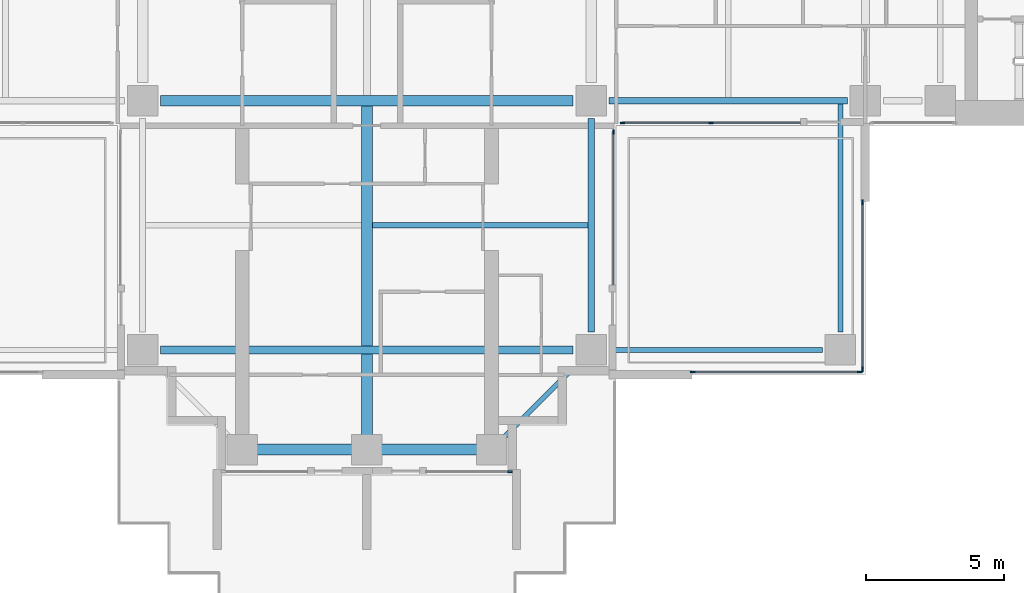
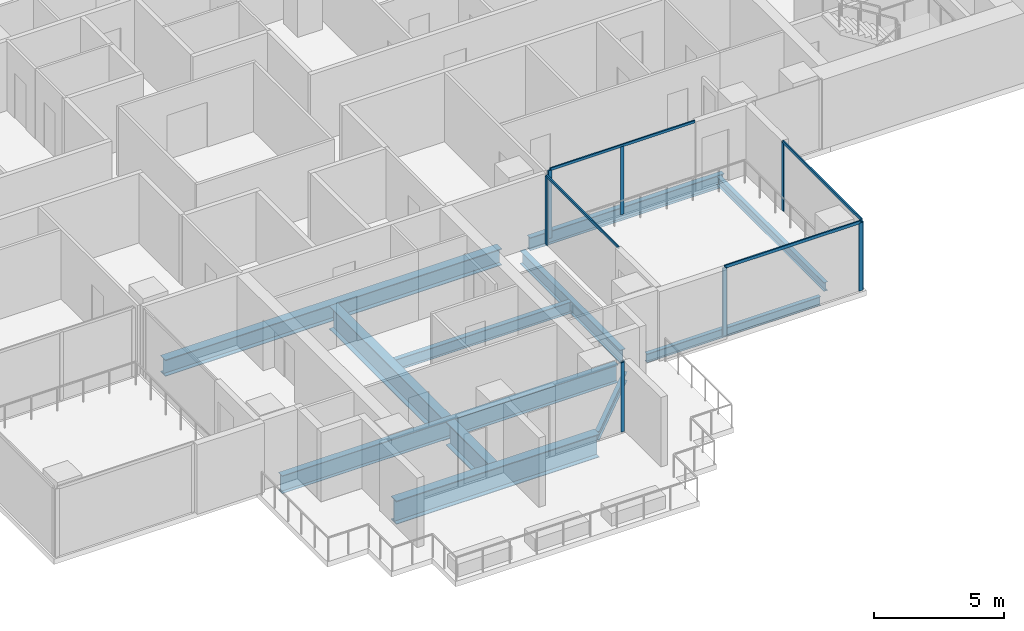
# One storey, part 3 of 20: 12 members, 11 beams, 5 elements without a shape of their own.
"""IFC4 building model written with IfcOpenShell, lengths in metres."""

from ifc_helpers import new_model, si_unit, direction, frame, origin, origin_2d, place, context, subcontext, project, spatial, rectangle, i_section, extrude, material, material_profile, profile_set, type_object, element, aggregate, save


model = new_model("IFC4")

# Units and contexts
model_context = context("Model", 3, precision=1e-05, world=origin(), true_north=direction((0.0, 1.0)))
body_context = subcontext(model_context, "Body", "Model", "MODEL_VIEW")
ifc_project = project(units=[si_unit("LENGTHUNIT", "METRE"), si_unit("AREAUNIT", "SQUARE_METRE"), si_unit("VOLUMEUNIT", "CUBIC_METRE"), si_unit("PLANEANGLEUNIT", "RADIAN"), si_unit("MASSUNIT", "GRAM", prefix="KILO")], contexts=[model_context])

# Site, building, storey
site_placement = place(None, origin())
site = spatial("IfcSite", under=ifc_project, at=site_placement, CompositionType="ELEMENT")
building_placement = place(site_placement, origin())
building = spatial("IfcBuilding", under=site, at=building_placement, Name="Perihelion Cross Residences", CompositionType="ELEMENT")
storey_placement = place(building_placement, frame((0.0, 0.0, 102.39990234375)))
storey = spatial("IfcBuildingStorey", under=building, at=storey_placement, Name="L23", CompositionType="ELEMENT", Elevation=102.39990234375)

# Curtain wall, member
ifc_material_1 = material(Name="Bronze anodised aluminium, tinted glazing", Category="aluminium")
curtain_wall_type_1 = type_object("IfcCurtainWallType", Name="CW1", PredefinedType="NOTDEFINED", material=ifc_material_1)
curtain_wall_1_placement = place(storey_placement, origin())
curtain_wall_1 = element("IfcCurtainWall", 1, at=curtain_wall_1_placement, inside=storey, type_object=curtain_wall_type_1, Name="Curtain wall CW1 L23 south tip south bay 2", PredefinedType="NOTDEFINED")
ifc_material_2 = material(Name="Bronze anodised aluminium", Category="aluminium")
ifc_material_profile_1 = material_profile(ifc_material_2, rectangle(XDim=0.06005859375, YDim=0.159912109375, at=origin_2d()), Name="CW1 mullion")
ifc_profile_set_1 = profile_set([ifc_material_profile_1], Name="Bronze anodised aluminium")
member_type_1 = type_object("IfcMemberType", Name="CW1 mullion", PredefinedType="MULLION", material=ifc_profile_set_1)
member_1_placement = place(storey_placement, frame((5.169921875, -21.5, 0.0), z_axis=(0.0, 0.0, 1.0), x_axis=(0.0, 1.0, 0.0)))
member_1 = element("IfcMember", 2, at=member_1_placement, type_object=member_type_1, Name="CW1 mullion 2", PredefinedType="MULLION", context=body_context, shape_type="SweptSolid", body=[
    extrude(rectangle(XDim=0.06005859375, YDim=0.159912109375, at=origin_2d()), origin(), (0.0, 0.0, 1.0), 3.25),
])
aggregate(curtain_wall_1, [member_1])

curtain_wall_2_placement = place(storey_placement, origin())
curtain_wall_2 = element("IfcCurtainWall", 3, at=curtain_wall_2_placement, inside=storey, type_object=curtain_wall_type_1, Name="Curtain wall CW1 L23 south side east bay 1", PredefinedType="NOTDEFINED")
member_2_placement = place(storey_placement, frame((8.89990234375, -9.22998046875, 0.0), z_axis=(0.0, 0.0, 1.0), x_axis=(-1.0, 0.0, 0.0)))
member_2 = element("IfcMember", 4, at=member_2_placement, type_object=member_type_1, Name="CW1 mullion 2", PredefinedType="MULLION", context=body_context, shape_type="SweptSolid", body=[
    extrude(rectangle(XDim=0.06005859375, YDim=0.159912109375, at=origin_2d()), origin(), (0.0, 0.0, 1.0), 3.190185546875),
])

# Curtain wall, members
curtain_wall_3_placement = place(storey_placement, origin())
curtain_wall_3 = element("IfcCurtainWall", 5, at=curtain_wall_3_placement, inside=storey, type_object=curtain_wall_type_1, Name="Curtain wall CW1 L23 east side south bay 1", PredefinedType="NOTDEFINED")
member_3_placement = place(storey_placement, frame((9.22998046875, -8.89990234375, 0.0), z_axis=(0.0, 0.0, 1.0), x_axis=(0.0, 1.0, 0.0)))
member_3 = element("IfcMember", 6, at=member_3_placement, type_object=member_type_1, Name="CW1 mullion 1", PredefinedType="MULLION", context=body_context, shape_type="SweptSolid", body=[
    extrude(rectangle(XDim=0.06005859375, YDim=0.159912109375, at=origin_2d()), origin(), (0.0, 0.0, 1.0), 3.190185546875),
])
member_4_placement = place(storey_placement, frame((12.425048828125, -8.89990234375, 0.0), z_axis=(0.0, 0.0, 1.0), x_axis=(0.0, 1.0, 0.0)))
member_4 = element("IfcMember", 7, at=member_4_placement, type_object=member_type_1, Name="CW1 mullion 2", PredefinedType="MULLION", context=body_context, shape_type="SweptSolid", body=[
    extrude(rectangle(XDim=0.06005859375, YDim=0.159912109375, at=origin_2d()), origin(), (0.0, 0.0, 1.0), 3.190185546875),
])

# Member
ifc_material_3 = material(Name="Bronze anodised aluminium", Category="aluminium")
ifc_material_profile_2 = material_profile(ifc_material_3, rectangle(XDim=0.06005859375, YDim=0.1201171875, at=origin_2d()), Name="CW1 transom")
ifc_profile_set_2 = profile_set([ifc_material_profile_2], Name="Bronze anodised aluminium")
member_type_2 = type_object("IfcMemberType", Name="CW1 transom", PredefinedType="USERDEFINED", material=ifc_profile_set_2)
member_5_placement = place(storey_placement, frame((8.89990234375, -14.75, 3.22021484375), z_axis=(0.0, 1.0, 0.0), x_axis=(-1.0, 0.0, 0.0)))
member_5 = element("IfcMember", 8, at=member_5_placement, type_object=member_type_2, Name="CW1 head transom", ObjectType="TRANSOM", PredefinedType="USERDEFINED", context=body_context, shape_type="SweptSolid", body=[
    extrude(rectangle(XDim=0.06005859375, YDim=0.1201171875, at=origin_2d()), origin(), (0.0, 0.0, 1.0), 5.52001953125),
])

aggregate(curtain_wall_2, [member_2, member_5])

member_6_placement = place(storey_placement, frame((9.22998046875, -8.89990234375, 3.22021484375), z_axis=(1.0, 0.0, 0.0), x_axis=(0.0, 1.0, 0.0)))
member_6 = element("IfcMember", 9, at=member_6_placement, type_object=member_type_2, Name="CW1 head transom", ObjectType="TRANSOM", PredefinedType="USERDEFINED", context=body_context, shape_type="SweptSolid", body=[
    extrude(rectangle(XDim=0.06005859375, YDim=0.1201171875, at=origin_2d()), origin(), (0.0, 0.0, 1.0), 6.419921875),
])

aggregate(curtain_wall_3, [member_3, member_4, member_6])

# Curtain wall, members
ifc_material_4 = material(Name="Bronze anodised aluminium, tinted glazing", Category="aluminium")
curtain_wall_type_2 = type_object("IfcCurtainWallType", Name="CW4", PredefinedType="NOTDEFINED", material=ifc_material_4)
curtain_wall_4_placement = place(storey_placement, origin())
curtain_wall_4 = element("IfcCurtainWall", 10, at=curtain_wall_4_placement, inside=storey, type_object=curtain_wall_type_2, Name="Curtain wall CW4 L23 pocket south-east 1 1", PredefinedType="NOTDEFINED")
ifc_material_5 = material(Name="Bronze anodised aluminium", Category="aluminium")
ifc_material_profile_3 = material_profile(ifc_material_5, rectangle(XDim=0.06005859375, YDim=0.179931640625, at=origin_2d()), Name="CW4 mullion")
ifc_profile_set_3 = profile_set([ifc_material_profile_3], Name="Bronze anodised aluminium")
member_type_3 = type_object("IfcMemberType", Name="CW4 mullion", PredefinedType="MULLION", material=ifc_profile_set_3)
member_7_placement = place(storey_placement, frame((17.89990234375, -11.77001953125, 0.0), z_axis=(0.0, 0.0, 1.0), x_axis=(1.0, 0.0, 0.0)))
member_7 = element("IfcMember", 11, at=member_7_placement, type_object=member_type_3, Name="CW4 mullion 1", PredefinedType="MULLION", context=body_context, shape_type="SweptSolid", body=[
    extrude(rectangle(XDim=0.06005859375, YDim=0.179931640625, at=origin_2d()), origin(), (0.0, 0.0, 1.0), 3.190185546875),
])
member_8_placement = place(storey_placement, frame((17.89990234375, -17.800048828125, 0.0), z_axis=(0.0, 0.0, 1.0), x_axis=(1.0, 0.0, 0.0)))
member_8 = element("IfcMember", 12, at=member_8_placement, type_object=member_type_3, Name="CW4 mullion 2", PredefinedType="MULLION", context=body_context, shape_type="SweptSolid", body=[
    extrude(rectangle(XDim=0.06005859375, YDim=0.179931640625, at=origin_2d()), origin(), (0.0, 0.0, 1.0), 3.190185546875),
])

curtain_wall_5_placement = place(storey_placement, origin())
curtain_wall_5 = element("IfcCurtainWall", 13, at=curtain_wall_5_placement, inside=storey, type_object=curtain_wall_type_2, Name="Curtain wall CW4 L23 pocket south-east 1 2", PredefinedType="NOTDEFINED")
member_9_placement = place(storey_placement, frame((17.800048828125, -17.89990234375, 0.0), z_axis=(0.0, 0.0, 1.0), x_axis=(0.0, -1.0, 0.0)))
member_9 = element("IfcMember", 14, at=member_9_placement, type_object=member_type_3, Name="CW4 mullion 1", PredefinedType="MULLION", context=body_context, shape_type="SweptSolid", body=[
    extrude(rectangle(XDim=0.06005859375, YDim=0.179931640625, at=origin_2d()), origin(), (0.0, 0.0, 1.0), 3.190185546875),
])
member_10_placement = place(storey_placement, frame((11.77001953125, -17.89990234375, 0.0), z_axis=(0.0, 0.0, 1.0), x_axis=(0.0, -1.0, 0.0)))
member_10 = element("IfcMember", 15, at=member_10_placement, type_object=member_type_3, Name="CW4 mullion 2", PredefinedType="MULLION", context=body_context, shape_type="SweptSolid", body=[
    extrude(rectangle(XDim=0.06005859375, YDim=0.179931640625, at=origin_2d()), origin(), (0.0, 0.0, 1.0), 3.190185546875),
])

# Member
ifc_material_6 = material(Name="Bronze anodised aluminium", Category="aluminium")
ifc_material_profile_4 = material_profile(ifc_material_6, rectangle(XDim=0.06005859375, YDim=0.139892578125, at=origin_2d()), Name="CW4 transom")
ifc_profile_set_4 = profile_set([ifc_material_profile_4], Name="Bronze anodised aluminium")
member_type_4 = type_object("IfcMemberType", Name="CW4 transom", PredefinedType="USERDEFINED", material=ifc_profile_set_4)
member_11_placement = place(storey_placement, frame((17.89990234375, -11.77001953125, 3.22021484375), z_axis=(0.0, -1.0, 0.0), x_axis=(1.0, 0.0, 0.0)))
member_11 = element("IfcMember", 16, at=member_11_placement, type_object=member_type_4, Name="CW4 head transom", ObjectType="TRANSOM", PredefinedType="USERDEFINED", context=body_context, shape_type="SweptSolid", body=[
    extrude(rectangle(XDim=0.06005859375, YDim=0.139892578125, at=origin_2d()), origin(), (0.0, 0.0, 1.0), 6.030029296875),
])

aggregate(curtain_wall_4, [member_7, member_8, member_11])

member_12_placement = place(storey_placement, frame((17.800048828125, -17.89990234375, 3.22021484375), z_axis=(-1.0, 0.0, 0.0), x_axis=(0.0, -1.0, 0.0)))
member_12 = element("IfcMember", 17, at=member_12_placement, type_object=member_type_4, Name="CW4 head transom", ObjectType="TRANSOM", PredefinedType="USERDEFINED", context=body_context, shape_type="SweptSolid", body=[
    extrude(rectangle(XDim=0.06005859375, YDim=0.139892578125, at=origin_2d()), origin(), (0.0, 0.0, 1.0), 6.030029296875),
])

aggregate(curtain_wall_5, [member_9, member_10, member_12])

# Beams
ifc_material_7 = material(Name="Steel S355", Category="steel")
ifc_material_profile_5 = material_profile(ifc_material_7, i_section(OverallWidth=0.177978515625, OverallDepth=0.406005859375, WebThickness=0.0078125, FlangeThickness=0.0126953125, at=origin_2d()), Name="W410x60")
ifc_profile_set_5 = profile_set([ifc_material_profile_5], Name="Steel S355")
beam_type_1 = type_object("IfcBeamType", Name="Core edge beam W410x60", PredefinedType="BEAM", material=ifc_profile_set_5)
beam_1_placement = place(storey_placement, frame((17.10009765625, -8.214599609375, -0.452880859375), z_axis=(0.0, -1.0, 0.0), x_axis=(1.0, 0.0, 0.0)))
element("IfcBeam", 18, at=beam_1_placement, inside=storey, type_object=beam_type_1, Name="Core edge beam TB2 L23 corner no. 5", PredefinedType="BEAM", context=body_context, shape_type="SweptSolid", body=[
    extrude(i_section(OverallWidth=0.177978515625, OverallDepth=0.406005859375, WebThickness=0.0078125, FlangeThickness=0.0126953125, at=origin_2d()), origin(), (0.0, 0.0, 1.0), 8.2353515625),
])
beam_2_placement = place(storey_placement, frame((8.75, -17.10009765625, -0.452880859375), z_axis=(1.0, 0.0, 0.0), x_axis=(0.0, 1.0, 0.0)))
element("IfcBeam", 19, at=beam_2_placement, inside=storey, type_object=beam_type_1, Name="Core edge beam TB2 L23 corner no. 6", PredefinedType="BEAM", context=body_context, shape_type="SweptSolid", body=[
    extrude(i_section(OverallWidth=0.177978515625, OverallDepth=0.406005859375, WebThickness=0.0078125, FlangeThickness=0.0126953125, at=origin_2d()), origin(), (0.0, 0.0, 1.0), 7.699951171875),
])
ifc_material_8 = material(Name="Steel S355", Category="steel")
ifc_material_profile_6 = material_profile(ifc_material_8, i_section(OverallWidth=0.22900390625, OverallDepth=0.612060546875, WebThickness=0.011962890625, FlangeThickness=0.01953125, at=origin_2d()), Name="W610x125")
ifc_profile_set_6 = profile_set([ifc_material_profile_6], Name="Steel S355")
beam_type_2 = type_object("IfcBeamType", Name="Edge beam W610x125", PredefinedType="SPANDREL", material=ifc_profile_set_6)
beam_3_placement = place(storey_placement, frame((8.10009765625, -16.449951171875, -0.555908203125), z_axis=(0.0, 1.0, 0.0), x_axis=(-1.0, 0.0, 0.0)))
element("IfcBeam", 20, at=beam_3_placement, inside=storey, type_object=beam_type_2, Name="Edge beam SB3 L23 no. 13", PredefinedType="SPANDREL", context=body_context, shape_type="SweptSolid", body=[
    extrude(i_section(OverallWidth=0.22900390625, OverallDepth=0.612060546875, WebThickness=0.011962890625, FlangeThickness=0.01953125, at=origin_2d()), origin(), (0.0, 0.0, 1.0), 7.699951171875),
])
beam_4_placement = place(storey_placement, frame((8.75, -8.10009765625, -0.555908203125), z_axis=(1.0, 0.0, 0.0), x_axis=(0.0, 1.0, 0.0)))
element("IfcBeam", 21, at=beam_4_placement, inside=storey, type_object=beam_type_2, Name="Edge beam SB3 L23 no. 14", PredefinedType="SPANDREL", context=body_context, shape_type="SweptSolid", body=[
    extrude(i_section(OverallWidth=0.22900390625, OverallDepth=0.612060546875, WebThickness=0.011962890625, FlangeThickness=0.01953125, at=origin_2d()), origin(), (0.0, 0.0, 1.0), 8.60009765625),
])
ifc_material_9 = material(Name="Steel S355", Category="steel")
ifc_material_profile_7 = material_profile(ifc_material_9, i_section(OverallWidth=0.2919921875, OverallDepth=0.8359375, WebThickness=0.013916015625, FlangeThickness=0.018798828125, at=origin_2d()), Name="W840x176")
ifc_profile_set_7 = profile_set([ifc_material_profile_7], Name="Steel S355")
beam_type_3 = type_object("IfcBeamType", Name="Floor girder W840x176", PredefinedType="BEAM", material=ifc_profile_set_7)
beam_5_placement = place(storey_placement, frame((-7.449951171875, -17.10009765625, -0.66796875), z_axis=(1.0, 0.0, 0.0), x_axis=(0.0, 1.0, 0.0)))
element("IfcBeam", 22, at=beam_5_placement, inside=storey, type_object=beam_type_3, Name="Girder G3 L23 no. 3", PredefinedType="BEAM", context=body_context, shape_type="SweptSolid", body=[
    extrude(i_section(OverallWidth=0.2919921875, OverallDepth=0.8359375, WebThickness=0.013916015625, FlangeThickness=0.018798828125, at=origin_2d()), origin(), (0.0, 0.0, 1.0), 14.89990234375),
])
ifc_material_10 = material(Name="Steel S355", Category="steel")
ifc_material_profile_8 = material_profile(ifc_material_10, i_section(OverallWidth=0.208984375, OverallDepth=0.532958984375, WebThickness=0.01025390625, FlangeThickness=0.015625, at=origin_2d()), Name="W530x92")
ifc_profile_set_8 = profile_set([ifc_material_profile_8], Name="Steel S355")
beam_type_4 = type_object("IfcBeamType", Name="Floor joist W530x92", PredefinedType="JOIST", material=ifc_profile_set_8)
beam_6_placement = place(storey_placement, frame((0.200439453125, -12.60009765625, -0.516357421875), z_axis=(1.0, 0.0, 0.0), x_axis=(0.0, 1.0, 0.0)))
element("IfcBeam", 23, at=beam_6_placement, inside=storey, type_object=beam_type_4, Name="Joist J4 L23 no. 4", PredefinedType="JOIST", context=body_context, shape_type="SweptSolid", body=[
    extrude(i_section(OverallWidth=0.208984375, OverallDepth=0.532958984375, WebThickness=0.01025390625, FlangeThickness=0.015625, at=origin_2d()), origin(), (0.0, 0.0, 1.0), 7.78515625),
])
ifc_material_11 = material(Name="Steel S355", Category="steel")
ifc_material_profile_9 = material_profile(ifc_material_11, i_section(OverallWidth=0.381103515625, OverallDepth=0.77197265625, WebThickness=0.0166015625, FlangeThickness=0.027099609375, at=origin_2d()), Name="W760x257")
ifc_profile_set_9 = profile_set([ifc_material_profile_9], Name="Steel S355")
beam_type_5 = type_object("IfcBeamType", Name="Hub ring girder W760x257", PredefinedType="BEAM", material=ifc_profile_set_9)
beam_7_placement = place(storey_placement, frame((-7.449951171875, -8.10009765625, -0.635986328125), z_axis=(1.0, 0.0, 0.0), x_axis=(0.0, 1.0, 0.0)))
element("IfcBeam", 24, at=beam_7_placement, inside=storey, type_object=beam_type_5, Name="Hub ring girder RG3 L23 no. 1", PredefinedType="BEAM", context=body_context, shape_type="SweptSolid", body=[
    extrude(i_section(OverallWidth=0.381103515625, OverallDepth=0.77197265625, WebThickness=0.0166015625, FlangeThickness=0.027099609375, at=origin_2d()), origin(), (0.0, 0.0, 1.0), 14.89990234375),
])
ifc_material_12 = material(Name="Steel S355", Category="steel")
ifc_material_profile_10 = material_profile(ifc_material_12, i_section(OverallWidth=0.180908203125, OverallDepth=0.4169921875, WebThickness=0.010986328125, FlangeThickness=0.018310546875, at=origin_2d()), Name="W410x85")
ifc_profile_set_10 = profile_set([ifc_material_profile_10], Name="Steel S355")
beam_type_6 = type_object("IfcBeamType", Name="Serration edge beam W410x85", PredefinedType="BEAM", material=ifc_profile_set_10)
beam_8_placement = place(storey_placement, frame((4.5, -20.699951171875, -0.45849609375), z_axis=(0.707106781187, 0.707106781187, 0.0), x_axis=(-0.707106781187, 0.707106781187, 0.0)))
element("IfcBeam", 25, at=beam_8_placement, inside=storey, type_object=beam_type_6, Name="Serration edge beam EB3 L23 no. 3", PredefinedType="BEAM", context=body_context, shape_type="SweptSolid", body=[
    extrude(i_section(OverallWidth=0.180908203125, OverallDepth=0.4169921875, WebThickness=0.010986328125, FlangeThickness=0.018310546875, at=origin_2d()), origin(), (0.0, 0.0, 1.0), 4.171875),
])
ifc_material_13 = material(Name="Steel S355", Category="steel")
ifc_material_profile_11 = material_profile(ifc_material_13, i_section(OverallWidth=0.40087890625, OverallDepth=1.090087890625, WebThickness=0.01806640625, FlangeThickness=0.031005859375, at=origin_2d()), Name="W1100x343")
ifc_profile_set_11 = profile_set([ifc_material_profile_11], Name="Steel S355")
beam_type_7 = type_object("IfcBeamType", Name="Transfer girder W1100x343", PredefinedType="BEAM", material=ifc_profile_set_11)
beam_9_placement = place(storey_placement, frame((0.0, -20.49951171875, -0.794921875), z_axis=(0.0, 1.0, 0.0), x_axis=(-1.0, 0.0, 0.0)))
element("IfcBeam", 26, at=beam_9_placement, inside=storey, type_object=beam_type_7, Name="Girder TG1 L23 transfer no. 1", PredefinedType="BEAM", context=body_context, shape_type="SweptSolid", body=[
    extrude(i_section(OverallWidth=0.40087890625, OverallDepth=1.090087890625, WebThickness=0.01806640625, FlangeThickness=0.031005859375, at=origin_2d()), origin(), (0.0, 0.0, 1.0), 3.25341796875),
])
beam_10_placement = place(storey_placement, frame((0.0, -16.9541015625, -0.794921875), z_axis=(0.0, 1.0, 0.0), x_axis=(-1.0, 0.0, 0.0)))
element("IfcBeam", 27, at=beam_10_placement, inside=storey, type_object=beam_type_7, Name="Girder TG1 L23 transfer no. 2", PredefinedType="BEAM", context=body_context, shape_type="SweptSolid", body=[
    extrude(i_section(OverallWidth=0.40087890625, OverallDepth=1.090087890625, WebThickness=0.01806640625, FlangeThickness=0.031005859375, at=origin_2d()), origin(), (0.0, 0.0, 1.0), 8.66357421875),
])
beam_11_placement = place(storey_placement, frame((-4.5, -20.699951171875, -0.794921875), z_axis=(1.0, 0.0, 0.0), x_axis=(0.0, 1.0, 0.0)))
element("IfcBeam", 28, at=beam_11_placement, inside=storey, type_object=beam_type_7, Name="Girder TG1 L23 transfer no. 3", PredefinedType="BEAM", context=body_context, shape_type="SweptSolid", body=[
    extrude(i_section(OverallWidth=0.40087890625, OverallDepth=1.090087890625, WebThickness=0.01806640625, FlangeThickness=0.031005859375, at=origin_2d()), origin(), (0.0, 0.0, 1.0), 9.0),
])

save(model, "model.ifc")
